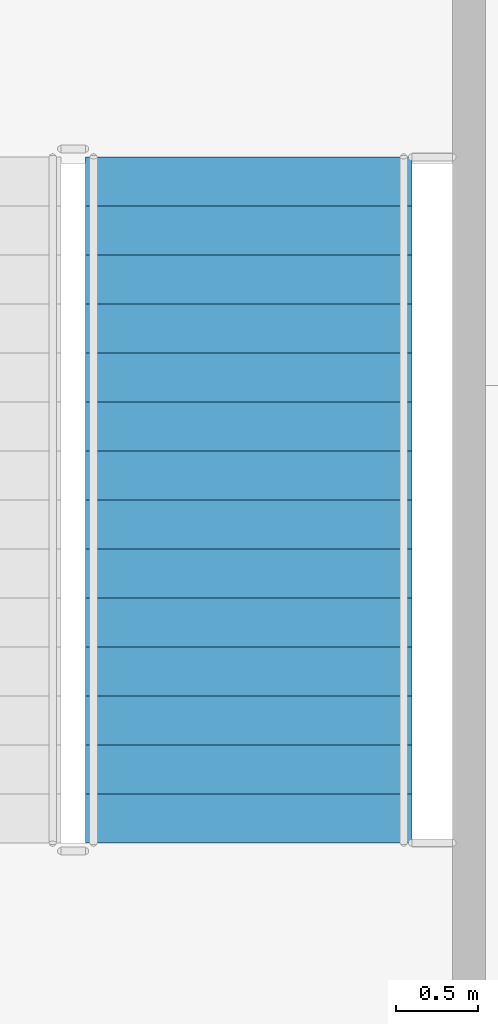
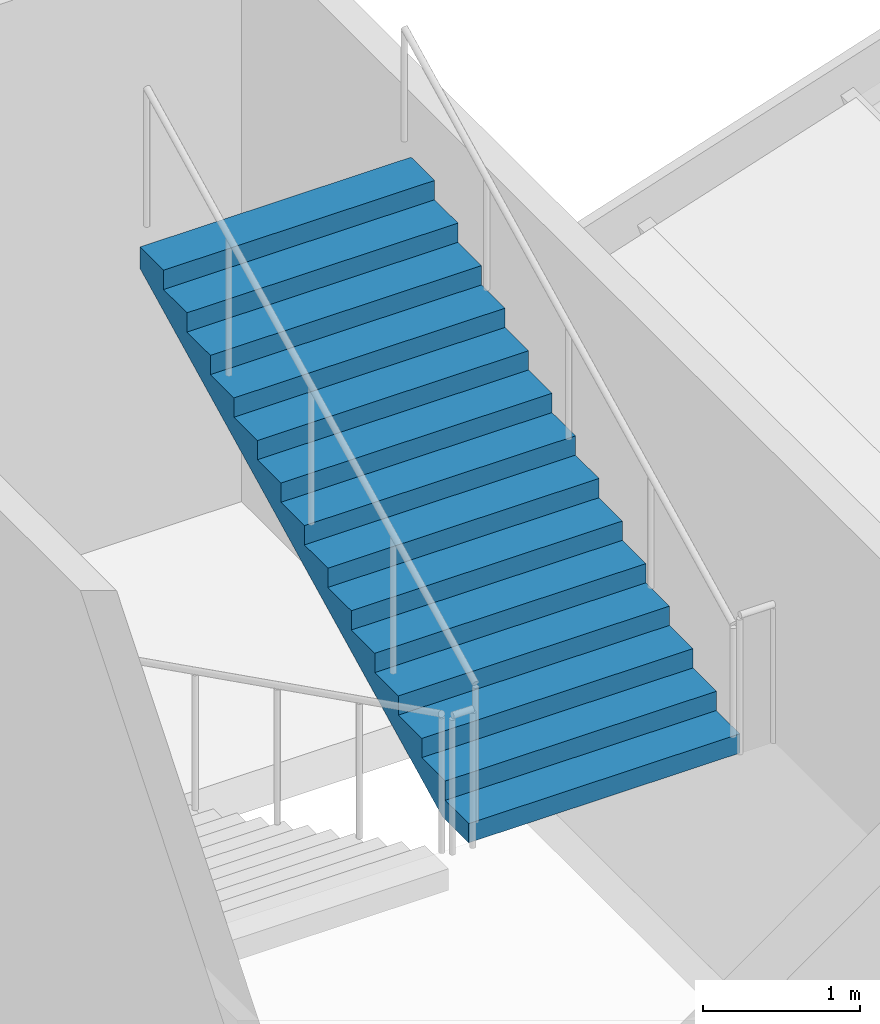
# One storey, part 89 of 95: 1 stair flight, 1 element without a shape of its own.
"""IFC4 building model written with IfcOpenShell, lengths in metres."""

from ifc_helpers import new_model, si_unit, direction, frame, origin, place, context, subcontext, project, spatial, faceted_brep, material, type_object, element, aggregate, save


model = new_model("IFC4")

# Units and contexts
model_context = context("Model", 3, precision=1e-05, world=origin(), true_north=direction((0.0, 1.0)))
body_context = subcontext(model_context, "Body", "Model", "MODEL_VIEW")
ifc_project = project(units=[si_unit("LENGTHUNIT", "METRE"), si_unit("AREAUNIT", "SQUARE_METRE"), si_unit("VOLUMEUNIT", "CUBIC_METRE"), si_unit("PLANEANGLEUNIT", "RADIAN"), si_unit("MASSUNIT", "GRAM", prefix="KILO")], contexts=[model_context])

# Site, building, storey
site_placement = place(None, origin())
site = spatial("IfcSite", under=ifc_project, at=site_placement, CompositionType="ELEMENT")
building_placement = place(site_placement, origin())
building = spatial("IfcBuilding", under=site, at=building_placement, Name="Kiln Court Media Centre", CompositionType="ELEMENT")
storey_placement = place(building_placement, frame((0.0, 0.0, 24.60009765625)))
storey = spatial("IfcBuildingStorey", under=building, at=storey_placement, Name="L05", CompositionType="ELEMENT", Elevation=24.60009765625)

# Stair, stair flight
ifc_material_1 = material(Name="Concrete C40/50", Category="concrete")
stair_type = type_object("IfcStairType", Name="Concrete C40/50 dog-leg stair 2000 wide, 150 riser", PredefinedType="HALF_TURN_STAIR", material=ifc_material_1)
stair_placement = place(storey_placement, origin())
stair = element("IfcStair", 1, at=stair_placement, inside=storey, type_object=stair_type, Name="ST-08 L05", PredefinedType="HALF_TURN_STAIR")
ifc_material_2 = material(Name="Concrete C40/50", Category="concrete")
stair_flight_type = type_object("IfcStairFlightType", Name="Concrete C40/50 stair flight 2000 wide, 150 riser, 300 going", PredefinedType="STRAIGHT", material=ifc_material_2)
stair_flight_placement = place(storey_placement, frame((32.14990234375, 60.199951171875, 2.25), z_axis=(0.0, 0.0, 1.0), x_axis=(0.0, 1.0, 0.0)))
stair_flight = element("IfcStairFlight", 2, at=stair_flight_placement, type_object=stair_flight_type, Name="L05-ST-5004 flight 5009", NumberOfRisers=15, NumberOfTreads=14, PredefinedType="STRAIGHT", RiserHeight=0.15, TreadLength=0.3, context=body_context, shape_type="Brep", body=[
    faceted_brep([(0.335205078125, -1.0, 0.0), (4.199951171875, -1.0, 1.932373046875), (4.199951171875, -1.0, 2.10009765625), (3.89990234375, -1.0, 2.10009765625), (3.89990234375, -1.0, 1.949951171875), (3.60009765625, -1.0, 1.949951171875), (3.60009765625, -1.0, 1.800048828125), (3.300048828125, -1.0, 1.800048828125), (3.300048828125, -1.0, 1.64990234375), (3.0, -1.0, 1.64990234375), (3.0, -1.0, 1.5), (2.699951171875, -1.0, 1.5), (2.699951171875, -1.0, 1.35009765625), (2.39990234375, -1.0, 1.35009765625), (2.39990234375, -1.0, 1.199951171875), (2.10009765625, -1.0, 1.199951171875), (2.10009765625, -1.0, 1.050048828125), (1.800048828125, -1.0, 1.050048828125), (1.800048828125, -1.0, 0.89990234375), (1.5, -1.0, 0.89990234375), (1.5, -1.0, 0.75), (1.199951171875, -1.0, 0.75), (1.199951171875, -1.0, 0.60009765625), (0.89990234375, -1.0, 0.60009765625), (0.89990234375, -1.0, 0.449951171875), (0.60009765625, -1.0, 0.449951171875), (0.60009765625, -1.0, 0.300048828125), (0.300048828125, -1.0, 0.300048828125), (0.300048828125, -1.0, 0.14990234375), (0.0, -1.0, 0.14990234375), (0.0, -1.0, 0.0), (0.0, 1.0, 0.0), (0.0, 1.0, 0.14990234375), (0.300048828125, 1.0, 0.14990234375), (0.300048828125, 1.0, 0.300048828125), (0.60009765625, 1.0, 0.300048828125), (0.60009765625, 1.0, 0.449951171875), (0.89990234375, 1.0, 0.449951171875), (0.89990234375, 1.0, 0.60009765625), (1.199951171875, 1.0, 0.60009765625), (1.199951171875, 1.0, 0.75), (1.5, 1.0, 0.75), (1.5, 1.0, 0.89990234375), (1.800048828125, 1.0, 0.89990234375), (1.800048828125, 1.0, 1.050048828125), (2.10009765625, 1.0, 1.050048828125), (2.10009765625, 1.0, 1.199951171875), (2.39990234375, 1.0, 1.199951171875), (2.39990234375, 1.0, 1.35009765625), (2.699951171875, 1.0, 1.35009765625), (2.699951171875, 1.0, 1.5), (3.0, 1.0, 1.5), (3.0, 1.0, 1.64990234375), (3.300048828125, 1.0, 1.64990234375), (3.300048828125, 1.0, 1.800048828125), (3.60009765625, 1.0, 1.800048828125), (3.60009765625, 1.0, 1.949951171875), (3.89990234375, 1.0, 1.949951171875), (3.89990234375, 1.0, 2.10009765625), (4.199951171875, 1.0, 2.10009765625), (4.199951171875, 1.0, 1.932373046875), (0.335205078125, 1.0, 0.0), (4.199951171875, 0.10009765625, 1.932373046875), (0.335205078125, 0.10009765625, 0.0), (4.199951171875, 0.080078125, 1.932373046875), (0.335205078125, 0.080078125, 0.0), (4.199951171875, 0.06005859375, 1.932373046875), (0.335205078125, 0.06005859375, 0.0), (4.199951171875, 0.0400390625, 1.932373046875), (0.335205078125, 0.0400390625, 0.0), (4.199951171875, 0.02001953125, 1.932373046875), (0.335205078125, 0.02001953125, 0.0), (4.199951171875, 0.0, 1.932373046875), (0.335205078125, 0.0, 0.0), (4.199951171875, -0.02001953125, 1.932373046875), (0.335205078125, -0.02001953125, 0.0), (4.199951171875, -0.0400390625, 1.932373046875), (0.335205078125, -0.0400390625, 0.0), (4.199951171875, -0.06005859375, 1.932373046875), (0.335205078125, -0.06005859375, 0.0), (4.199951171875, -0.080078125, 1.932373046875), (0.335205078125, -0.080078125, 0.0), (4.199951171875, -0.10009765625, 1.932373046875), (0.335205078125, -0.10009765625, 0.0), (4.199951171875, 0.10009765625, 2.10009765625), (4.199951171875, 0.080078125, 2.10009765625), (4.199951171875, 0.06005859375, 2.10009765625), (4.199951171875, 0.0400390625, 2.10009765625), (4.199951171875, 0.02001953125, 2.10009765625), (4.199951171875, 0.0, 2.10009765625), (4.199951171875, -0.02001953125, 2.10009765625), (4.199951171875, -0.0400390625, 2.10009765625), (4.199951171875, -0.06005859375, 2.10009765625), (4.199951171875, -0.080078125, 2.10009765625), (4.199951171875, -0.10009765625, 2.10009765625), (3.89990234375, 0.10009765625, 2.10009765625), (3.89990234375, 0.080078125, 2.10009765625), (3.89990234375, 0.06005859375, 2.10009765625), (3.89990234375, 0.0400390625, 2.10009765625), (3.89990234375, 0.02001953125, 2.10009765625), (3.89990234375, 0.0, 2.10009765625), (3.89990234375, -0.02001953125, 2.10009765625), (3.89990234375, -0.0400390625, 2.10009765625), (3.89990234375, -0.06005859375, 2.10009765625), (3.89990234375, -0.080078125, 2.10009765625), (3.89990234375, -0.10009765625, 2.10009765625), (3.89990234375, 0.10009765625, 1.949951171875), (3.89990234375, 0.080078125, 1.949951171875), (3.89990234375, 0.06005859375, 1.949951171875), (3.89990234375, 0.0400390625, 1.949951171875), (3.89990234375, 0.02001953125, 1.949951171875), (3.89990234375, 0.0, 1.949951171875), (3.89990234375, -0.02001953125, 1.949951171875), (3.89990234375, -0.0400390625, 1.949951171875), (3.89990234375, -0.06005859375, 1.949951171875), (3.89990234375, -0.080078125, 1.949951171875), (3.89990234375, -0.10009765625, 1.949951171875), (3.60009765625, 0.10009765625, 1.949951171875), (3.60009765625, 0.080078125, 1.949951171875), (3.60009765625, 0.06005859375, 1.949951171875), (3.60009765625, 0.0400390625, 1.949951171875), (3.60009765625, 0.02001953125, 1.949951171875), (3.60009765625, 0.0, 1.949951171875), (3.60009765625, -0.02001953125, 1.949951171875), (3.60009765625, -0.0400390625, 1.949951171875), (3.60009765625, -0.06005859375, 1.949951171875), (3.60009765625, -0.080078125, 1.949951171875), (3.60009765625, -0.10009765625, 1.949951171875), (3.60009765625, 0.10009765625, 1.800048828125), (3.60009765625, 0.080078125, 1.800048828125), (3.60009765625, 0.06005859375, 1.800048828125), (3.60009765625, 0.0400390625, 1.800048828125), (3.60009765625, 0.02001953125, 1.800048828125), (3.60009765625, 0.0, 1.800048828125), (3.60009765625, -0.02001953125, 1.800048828125), (3.60009765625, -0.0400390625, 1.800048828125), (3.60009765625, -0.06005859375, 1.800048828125), (3.60009765625, -0.080078125, 1.800048828125), (3.60009765625, -0.10009765625, 1.800048828125), (3.300048828125, 0.10009765625, 1.800048828125), (3.300048828125, 0.080078125, 1.800048828125), (3.300048828125, 0.06005859375, 1.800048828125), (3.300048828125, 0.0400390625, 1.800048828125), (3.300048828125, 0.02001953125, 1.800048828125), (3.300048828125, 0.0, 1.800048828125), (3.300048828125, -0.02001953125, 1.800048828125), (3.300048828125, -0.0400390625, 1.800048828125), (3.300048828125, -0.06005859375, 1.800048828125), (3.300048828125, -0.080078125, 1.800048828125), (3.300048828125, -0.10009765625, 1.800048828125), (3.300048828125, 0.10009765625, 1.64990234375), (3.300048828125, 0.080078125, 1.64990234375), (3.300048828125, 0.06005859375, 1.64990234375), (3.300048828125, 0.0400390625, 1.64990234375), (3.300048828125, 0.02001953125, 1.64990234375), (3.300048828125, 0.0, 1.64990234375), (3.300048828125, -0.02001953125, 1.64990234375), (3.300048828125, -0.0400390625, 1.64990234375), (3.300048828125, -0.06005859375, 1.64990234375), (3.300048828125, -0.080078125, 1.64990234375), (3.300048828125, -0.10009765625, 1.64990234375), (3.0, 0.10009765625, 1.64990234375), (3.0, 0.080078125, 1.64990234375), (3.0, 0.06005859375, 1.64990234375), (3.0, 0.0400390625, 1.64990234375), (3.0, 0.02001953125, 1.64990234375), (3.0, 0.0, 1.64990234375), (3.0, -0.02001953125, 1.64990234375), (3.0, -0.0400390625, 1.64990234375), (3.0, -0.06005859375, 1.64990234375), (3.0, -0.080078125, 1.64990234375), (3.0, -0.10009765625, 1.64990234375), (3.0, 0.10009765625, 1.5), (3.0, 0.080078125, 1.5), (3.0, 0.06005859375, 1.5), (3.0, 0.0400390625, 1.5), (3.0, 0.02001953125, 1.5), (3.0, 0.0, 1.5), (3.0, -0.02001953125, 1.5), (3.0, -0.0400390625, 1.5), (3.0, -0.06005859375, 1.5), (3.0, -0.080078125, 1.5), (3.0, -0.10009765625, 1.5), (2.699951171875, 0.10009765625, 1.5), (2.699951171875, 0.080078125, 1.5), (2.699951171875, 0.06005859375, 1.5), (2.699951171875, 0.0400390625, 1.5), (2.699951171875, 0.02001953125, 1.5), (2.699951171875, 0.0, 1.5), (2.699951171875, -0.02001953125, 1.5), (2.699951171875, -0.0400390625, 1.5), (2.699951171875, -0.06005859375, 1.5), (2.699951171875, -0.080078125, 1.5), (2.699951171875, -0.10009765625, 1.5), (2.699951171875, 0.10009765625, 1.35009765625), (2.699951171875, 0.080078125, 1.35009765625), (2.699951171875, 0.06005859375, 1.35009765625), (2.699951171875, 0.0400390625, 1.35009765625), (2.699951171875, 0.02001953125, 1.35009765625), (2.699951171875, 0.0, 1.35009765625), (2.699951171875, -0.02001953125, 1.35009765625), (2.699951171875, -0.0400390625, 1.35009765625), (2.699951171875, -0.06005859375, 1.35009765625), (2.699951171875, -0.080078125, 1.35009765625), (2.699951171875, -0.10009765625, 1.35009765625), (2.39990234375, 0.10009765625, 1.35009765625), (2.39990234375, 0.080078125, 1.35009765625), (2.39990234375, 0.06005859375, 1.35009765625), (2.39990234375, 0.0400390625, 1.35009765625), (2.39990234375, 0.02001953125, 1.35009765625), (2.39990234375, 0.0, 1.35009765625), (2.39990234375, -0.02001953125, 1.35009765625), (2.39990234375, -0.0400390625, 1.35009765625), (2.39990234375, -0.06005859375, 1.35009765625), (2.39990234375, -0.080078125, 1.35009765625), (2.39990234375, -0.10009765625, 1.35009765625), (2.39990234375, 0.10009765625, 1.199951171875), (2.39990234375, 0.080078125, 1.199951171875), (2.39990234375, 0.06005859375, 1.199951171875), (2.39990234375, 0.0400390625, 1.199951171875), (2.39990234375, 0.02001953125, 1.199951171875), (2.39990234375, 0.0, 1.199951171875), (2.39990234375, -0.02001953125, 1.199951171875), (2.39990234375, -0.0400390625, 1.199951171875), (2.39990234375, -0.06005859375, 1.199951171875), (2.39990234375, -0.080078125, 1.199951171875), (2.39990234375, -0.10009765625, 1.199951171875), (2.10009765625, 0.10009765625, 1.199951171875), (2.10009765625, 0.080078125, 1.199951171875), (2.10009765625, 0.06005859375, 1.199951171875), (2.10009765625, 0.0400390625, 1.199951171875), (2.10009765625, 0.02001953125, 1.199951171875), (2.10009765625, 0.0, 1.199951171875), (2.10009765625, -0.02001953125, 1.199951171875), (2.10009765625, -0.0400390625, 1.199951171875), (2.10009765625, -0.06005859375, 1.199951171875), (2.10009765625, -0.080078125, 1.199951171875), (2.10009765625, -0.10009765625, 1.199951171875), (2.10009765625, 0.10009765625, 1.050048828125), (2.10009765625, 0.080078125, 1.050048828125), (2.10009765625, 0.06005859375, 1.050048828125), (2.10009765625, 0.0400390625, 1.050048828125), (2.10009765625, 0.02001953125, 1.050048828125), (2.10009765625, 0.0, 1.050048828125), (2.10009765625, -0.02001953125, 1.050048828125), (2.10009765625, -0.0400390625, 1.050048828125), (2.10009765625, -0.06005859375, 1.050048828125), (2.10009765625, -0.080078125, 1.050048828125), (2.10009765625, -0.10009765625, 1.050048828125), (1.800048828125, 0.10009765625, 1.050048828125), (1.800048828125, 0.080078125, 1.050048828125), (1.800048828125, 0.06005859375, 1.050048828125), (1.800048828125, 0.0400390625, 1.050048828125), (1.800048828125, 0.02001953125, 1.050048828125), (1.800048828125, 0.0, 1.050048828125), (1.800048828125, -0.02001953125, 1.050048828125), (1.800048828125, -0.0400390625, 1.050048828125), (1.800048828125, -0.06005859375, 1.050048828125), (1.800048828125, -0.080078125, 1.050048828125), (1.800048828125, -0.10009765625, 1.050048828125), (1.800048828125, 0.10009765625, 0.89990234375), (1.800048828125, 0.080078125, 0.89990234375), (1.800048828125, 0.06005859375, 0.89990234375), (1.800048828125, 0.0400390625, 0.89990234375), (1.800048828125, 0.02001953125, 0.89990234375), (1.800048828125, 0.0, 0.89990234375), (1.800048828125, -0.02001953125, 0.89990234375), (1.800048828125, -0.0400390625, 0.89990234375), (1.800048828125, -0.06005859375, 0.89990234375), (1.800048828125, -0.080078125, 0.89990234375), (1.800048828125, -0.10009765625, 0.89990234375), (1.5, 0.10009765625, 0.89990234375), (1.5, 0.080078125, 0.89990234375), (1.5, 0.06005859375, 0.89990234375), (1.5, 0.0400390625, 0.89990234375), (1.5, 0.02001953125, 0.89990234375), (1.5, 0.0, 0.89990234375), (1.5, -0.02001953125, 0.89990234375), (1.5, -0.0400390625, 0.89990234375), (1.5, -0.06005859375, 0.89990234375), (1.5, -0.080078125, 0.89990234375), (1.5, -0.10009765625, 0.89990234375), (1.5, 0.10009765625, 0.75), (1.5, 0.080078125, 0.75), (1.5, 0.06005859375, 0.75), (1.5, 0.0400390625, 0.75), (1.5, 0.02001953125, 0.75), (1.5, 0.0, 0.75), (1.5, -0.02001953125, 0.75), (1.5, -0.0400390625, 0.75), (1.5, -0.06005859375, 0.75), (1.5, -0.080078125, 0.75), (1.5, -0.10009765625, 0.75), (1.199951171875, 0.10009765625, 0.75), (1.199951171875, 0.080078125, 0.75), (1.199951171875, 0.06005859375, 0.75), (1.199951171875, 0.0400390625, 0.75), (1.199951171875, 0.02001953125, 0.75), (1.199951171875, 0.0, 0.75), (1.199951171875, -0.02001953125, 0.75), (1.199951171875, -0.0400390625, 0.75), (1.199951171875, -0.06005859375, 0.75), (1.199951171875, -0.080078125, 0.75), (1.199951171875, -0.10009765625, 0.75), (1.199951171875, 0.10009765625, 0.60009765625), (1.199951171875, 0.080078125, 0.60009765625), (1.199951171875, 0.06005859375, 0.60009765625), (1.199951171875, 0.0400390625, 0.60009765625), (1.199951171875, 0.02001953125, 0.60009765625), (1.199951171875, 0.0, 0.60009765625), (1.199951171875, -0.02001953125, 0.60009765625), (1.199951171875, -0.0400390625, 0.60009765625), (1.199951171875, -0.06005859375, 0.60009765625), (1.199951171875, -0.080078125, 0.60009765625), (1.199951171875, -0.10009765625, 0.60009765625), (0.89990234375, 0.10009765625, 0.60009765625), (0.89990234375, 0.080078125, 0.60009765625), (0.89990234375, 0.06005859375, 0.60009765625), (0.89990234375, 0.0400390625, 0.60009765625), (0.89990234375, 0.02001953125, 0.60009765625), (0.89990234375, 0.0, 0.60009765625), (0.89990234375, -0.02001953125, 0.60009765625), (0.89990234375, -0.0400390625, 0.60009765625), (0.89990234375, -0.06005859375, 0.60009765625), (0.89990234375, -0.080078125, 0.60009765625), (0.89990234375, -0.10009765625, 0.60009765625), (0.89990234375, 0.10009765625, 0.449951171875), (0.89990234375, 0.080078125, 0.449951171875), (0.89990234375, 0.06005859375, 0.449951171875), (0.89990234375, 0.0400390625, 0.449951171875), (0.89990234375, 0.02001953125, 0.449951171875), (0.89990234375, 0.0, 0.449951171875), (0.89990234375, -0.02001953125, 0.449951171875), (0.89990234375, -0.0400390625, 0.449951171875), (0.89990234375, -0.06005859375, 0.449951171875), (0.89990234375, -0.080078125, 0.449951171875), (0.89990234375, -0.10009765625, 0.449951171875), (0.60009765625, 0.10009765625, 0.449951171875), (0.60009765625, 0.080078125, 0.449951171875), (0.60009765625, 0.06005859375, 0.449951171875), (0.60009765625, 0.0400390625, 0.449951171875), (0.60009765625, 0.02001953125, 0.449951171875), (0.60009765625, 0.0, 0.449951171875), (0.60009765625, -0.02001953125, 0.449951171875), (0.60009765625, -0.0400390625, 0.449951171875), (0.60009765625, -0.06005859375, 0.449951171875), (0.60009765625, -0.080078125, 0.449951171875), (0.60009765625, -0.10009765625, 0.449951171875), (0.60009765625, 0.10009765625, 0.300048828125), (0.60009765625, 0.080078125, 0.300048828125), (0.60009765625, 0.06005859375, 0.300048828125), (0.60009765625, 0.0400390625, 0.300048828125), (0.60009765625, 0.02001953125, 0.300048828125), (0.60009765625, 0.0, 0.300048828125), (0.60009765625, -0.02001953125, 0.300048828125), (0.60009765625, -0.0400390625, 0.300048828125), (0.60009765625, -0.06005859375, 0.300048828125), (0.60009765625, -0.080078125, 0.300048828125), (0.60009765625, -0.10009765625, 0.300048828125), (0.300048828125, 0.10009765625, 0.300048828125), (0.300048828125, 0.080078125, 0.300048828125), (0.300048828125, 0.06005859375, 0.300048828125), (0.300048828125, 0.0400390625, 0.300048828125), (0.300048828125, 0.02001953125, 0.300048828125), (0.300048828125, 0.0, 0.300048828125), (0.300048828125, -0.02001953125, 0.300048828125), (0.300048828125, -0.0400390625, 0.300048828125), (0.300048828125, -0.06005859375, 0.300048828125), (0.300048828125, -0.080078125, 0.300048828125), (0.300048828125, -0.10009765625, 0.300048828125), (0.300048828125, 0.10009765625, 0.14990234375), (0.300048828125, 0.080078125, 0.14990234375), (0.300048828125, 0.06005859375, 0.14990234375), (0.300048828125, 0.0400390625, 0.14990234375), (0.300048828125, 0.02001953125, 0.14990234375), (0.300048828125, 0.0, 0.14990234375), (0.300048828125, -0.02001953125, 0.14990234375), (0.300048828125, -0.0400390625, 0.14990234375), (0.300048828125, -0.06005859375, 0.14990234375), (0.300048828125, -0.080078125, 0.14990234375), (0.300048828125, -0.10009765625, 0.14990234375), (0.0, 0.10009765625, 0.14990234375), (0.0, 0.080078125, 0.14990234375), (0.0, 0.06005859375, 0.14990234375), (0.0, 0.0400390625, 0.14990234375), (0.0, 0.02001953125, 0.14990234375), (0.0, 0.0, 0.14990234375), (0.0, -0.02001953125, 0.14990234375), (0.0, -0.0400390625, 0.14990234375), (0.0, -0.06005859375, 0.14990234375), (0.0, -0.080078125, 0.14990234375), (0.0, -0.10009765625, 0.14990234375), (0.0, 0.10009765625, 0.0), (0.0, 0.080078125, 0.0), (0.0, 0.06005859375, 0.0), (0.0, 0.0400390625, 0.0), (0.0, 0.02001953125, 0.0), (0.0, 0.0, 0.0), (0.0, -0.02001953125, 0.0), (0.0, -0.0400390625, 0.0), (0.0, -0.06005859375, 0.0), (0.0, -0.080078125, 0.0), (0.0, -0.10009765625, 0.0)], [[[0, 1, 2, 3, 4, 5, 6, 7, 8, 9, 10, 11, 12, 13, 14, 15, 16, 17, 18, 19, 20, 21, 22, 23, 24, 25, 26, 27, 28, 29, 30]], [[31, 32, 33, 34, 35, 36, 37, 38, 39, 40, 41, 42, 43, 44, 45, 46, 47, 48, 49, 50, 51, 52, 53, 54, 55, 56, 57, 58, 59, 60, 61]], [[61, 60, 62, 63]], [[63, 62, 64, 65]], [[65, 64, 66, 67]], [[67, 66, 68, 69]], [[69, 68, 70, 71]], [[71, 70, 72, 73]], [[73, 72, 74, 75]], [[75, 74, 76, 77]], [[77, 76, 78, 79]], [[79, 78, 80, 81]], [[81, 80, 82, 83]], [[83, 82, 1, 0]], [[60, 59, 84, 62]], [[62, 84, 85, 64]], [[64, 85, 86, 66]], [[66, 86, 87, 68]], [[68, 87, 88, 70]], [[70, 88, 89, 72]], [[72, 89, 90, 74]], [[74, 90, 91, 76]], [[76, 91, 92, 78]], [[78, 92, 93, 80]], [[80, 93, 94, 82]], [[82, 94, 2, 1]], [[59, 58, 95, 84]], [[84, 95, 96, 85]], [[85, 96, 97, 86]], [[86, 97, 98, 87]], [[87, 98, 99, 88]], [[88, 99, 100, 89]], [[89, 100, 101, 90]], [[90, 101, 102, 91]], [[91, 102, 103, 92]], [[92, 103, 104, 93]], [[93, 104, 105, 94]], [[94, 105, 3, 2]], [[58, 57, 106, 95]], [[95, 106, 107, 96]], [[96, 107, 108, 97]], [[97, 108, 109, 98]], [[98, 109, 110, 99]], [[99, 110, 111, 100]], [[100, 111, 112, 101]], [[101, 112, 113, 102]], [[102, 113, 114, 103]], [[103, 114, 115, 104]], [[104, 115, 116, 105]], [[105, 116, 4, 3]], [[57, 56, 117, 106]], [[106, 117, 118, 107]], [[107, 118, 119, 108]], [[108, 119, 120, 109]], [[109, 120, 121, 110]], [[110, 121, 122, 111]], [[111, 122, 123, 112]], [[112, 123, 124, 113]], [[113, 124, 125, 114]], [[114, 125, 126, 115]], [[115, 126, 127, 116]], [[116, 127, 5, 4]], [[56, 55, 128, 117]], [[117, 128, 129, 118]], [[118, 129, 130, 119]], [[119, 130, 131, 120]], [[120, 131, 132, 121]], [[121, 132, 133, 122]], [[122, 133, 134, 123]], [[123, 134, 135, 124]], [[124, 135, 136, 125]], [[125, 136, 137, 126]], [[126, 137, 138, 127]], [[127, 138, 6, 5]], [[55, 54, 139, 128]], [[128, 139, 140, 129]], [[129, 140, 141, 130]], [[130, 141, 142, 131]], [[131, 142, 143, 132]], [[132, 143, 144, 133]], [[133, 144, 145, 134]], [[134, 145, 146, 135]], [[135, 146, 147, 136]], [[136, 147, 148, 137]], [[137, 148, 149, 138]], [[138, 149, 7, 6]], [[54, 53, 150, 139]], [[139, 150, 151, 140]], [[140, 151, 152, 141]], [[141, 152, 153, 142]], [[142, 153, 154, 143]], [[143, 154, 155, 144]], [[144, 155, 156, 145]], [[145, 156, 157, 146]], [[146, 157, 158, 147]], [[147, 158, 159, 148]], [[148, 159, 160, 149]], [[149, 160, 8, 7]], [[53, 52, 161, 150]], [[150, 161, 162, 151]], [[151, 162, 163, 152]], [[152, 163, 164, 153]], [[153, 164, 165, 154]], [[154, 165, 166, 155]], [[155, 166, 167, 156]], [[156, 167, 168, 157]], [[157, 168, 169, 158]], [[158, 169, 170, 159]], [[159, 170, 171, 160]], [[160, 171, 9, 8]], [[52, 51, 172, 161]], [[161, 172, 173, 162]], [[162, 173, 174, 163]], [[163, 174, 175, 164]], [[164, 175, 176, 165]], [[165, 176, 177, 166]], [[166, 177, 178, 167]], [[167, 178, 179, 168]], [[168, 179, 180, 169]], [[169, 180, 181, 170]], [[170, 181, 182, 171]], [[171, 182, 10, 9]], [[51, 50, 183, 172]], [[172, 183, 184, 173]], [[173, 184, 185, 174]], [[174, 185, 186, 175]], [[175, 186, 187, 176]], [[176, 187, 188, 177]], [[177, 188, 189, 178]], [[178, 189, 190, 179]], [[179, 190, 191, 180]], [[180, 191, 192, 181]], [[181, 192, 193, 182]], [[182, 193, 11, 10]], [[50, 49, 194, 183]], [[183, 194, 195, 184]], [[184, 195, 196, 185]], [[185, 196, 197, 186]], [[186, 197, 198, 187]], [[187, 198, 199, 188]], [[188, 199, 200, 189]], [[189, 200, 201, 190]], [[190, 201, 202, 191]], [[191, 202, 203, 192]], [[192, 203, 204, 193]], [[193, 204, 12, 11]], [[49, 48, 205, 194]], [[194, 205, 206, 195]], [[195, 206, 207, 196]], [[196, 207, 208, 197]], [[197, 208, 209, 198]], [[198, 209, 210, 199]], [[199, 210, 211, 200]], [[200, 211, 212, 201]], [[201, 212, 213, 202]], [[202, 213, 214, 203]], [[203, 214, 215, 204]], [[204, 215, 13, 12]], [[48, 47, 216, 205]], [[205, 216, 217, 206]], [[206, 217, 218, 207]], [[207, 218, 219, 208]], [[208, 219, 220, 209]], [[209, 220, 221, 210]], [[210, 221, 222, 211]], [[211, 222, 223, 212]], [[212, 223, 224, 213]], [[213, 224, 225, 214]], [[214, 225, 226, 215]], [[215, 226, 14, 13]], [[47, 46, 227, 216]], [[216, 227, 228, 217]], [[217, 228, 229, 218]], [[218, 229, 230, 219]], [[219, 230, 231, 220]], [[220, 231, 232, 221]], [[221, 232, 233, 222]], [[222, 233, 234, 223]], [[223, 234, 235, 224]], [[224, 235, 236, 225]], [[225, 236, 237, 226]], [[226, 237, 15, 14]], [[46, 45, 238, 227]], [[227, 238, 239, 228]], [[228, 239, 240, 229]], [[229, 240, 241, 230]], [[230, 241, 242, 231]], [[231, 242, 243, 232]], [[232, 243, 244, 233]], [[233, 244, 245, 234]], [[234, 245, 246, 235]], [[235, 246, 247, 236]], [[236, 247, 248, 237]], [[237, 248, 16, 15]], [[45, 44, 249, 238]], [[238, 249, 250, 239]], [[239, 250, 251, 240]], [[240, 251, 252, 241]], [[241, 252, 253, 242]], [[242, 253, 254, 243]], [[243, 254, 255, 244]], [[244, 255, 256, 245]], [[245, 256, 257, 246]], [[246, 257, 258, 247]], [[247, 258, 259, 248]], [[248, 259, 17, 16]], [[44, 43, 260, 249]], [[249, 260, 261, 250]], [[250, 261, 262, 251]], [[251, 262, 263, 252]], [[252, 263, 264, 253]], [[253, 264, 265, 254]], [[254, 265, 266, 255]], [[255, 266, 267, 256]], [[256, 267, 268, 257]], [[257, 268, 269, 258]], [[258, 269, 270, 259]], [[259, 270, 18, 17]], [[43, 42, 271, 260]], [[260, 271, 272, 261]], [[261, 272, 273, 262]], [[262, 273, 274, 263]], [[263, 274, 275, 264]], [[264, 275, 276, 265]], [[265, 276, 277, 266]], [[266, 277, 278, 267]], [[267, 278, 279, 268]], [[268, 279, 280, 269]], [[269, 280, 281, 270]], [[270, 281, 19, 18]], [[42, 41, 282, 271]], [[271, 282, 283, 272]], [[272, 283, 284, 273]], [[273, 284, 285, 274]], [[274, 285, 286, 275]], [[275, 286, 287, 276]], [[276, 287, 288, 277]], [[277, 288, 289, 278]], [[278, 289, 290, 279]], [[279, 290, 291, 280]], [[280, 291, 292, 281]], [[281, 292, 20, 19]], [[41, 40, 293, 282]], [[282, 293, 294, 283]], [[283, 294, 295, 284]], [[284, 295, 296, 285]], [[285, 296, 297, 286]], [[286, 297, 298, 287]], [[287, 298, 299, 288]], [[288, 299, 300, 289]], [[289, 300, 301, 290]], [[290, 301, 302, 291]], [[291, 302, 303, 292]], [[292, 303, 21, 20]], [[40, 39, 304, 293]], [[293, 304, 305, 294]], [[294, 305, 306, 295]], [[295, 306, 307, 296]], [[296, 307, 308, 297]], [[297, 308, 309, 298]], [[298, 309, 310, 299]], [[299, 310, 311, 300]], [[300, 311, 312, 301]], [[301, 312, 313, 302]], [[302, 313, 314, 303]], [[303, 314, 22, 21]], [[39, 38, 315, 304]], [[304, 315, 316, 305]], [[305, 316, 317, 306]], [[306, 317, 318, 307]], [[307, 318, 319, 308]], [[308, 319, 320, 309]], [[309, 320, 321, 310]], [[310, 321, 322, 311]], [[311, 322, 323, 312]], [[312, 323, 324, 313]], [[313, 324, 325, 314]], [[314, 325, 23, 22]], [[38, 37, 326, 315]], [[315, 326, 327, 316]], [[316, 327, 328, 317]], [[317, 328, 329, 318]], [[318, 329, 330, 319]], [[319, 330, 331, 320]], [[320, 331, 332, 321]], [[321, 332, 333, 322]], [[322, 333, 334, 323]], [[323, 334, 335, 324]], [[324, 335, 336, 325]], [[325, 336, 24, 23]], [[37, 36, 337, 326]], [[326, 337, 338, 327]], [[327, 338, 339, 328]], [[328, 339, 340, 329]], [[329, 340, 341, 330]], [[330, 341, 342, 331]], [[331, 342, 343, 332]], [[332, 343, 344, 333]], [[333, 344, 345, 334]], [[334, 345, 346, 335]], [[335, 346, 347, 336]], [[336, 347, 25, 24]], [[36, 35, 348, 337]], [[337, 348, 349, 338]], [[338, 349, 350, 339]], [[339, 350, 351, 340]], [[340, 351, 352, 341]], [[341, 352, 353, 342]], [[342, 353, 354, 343]], [[343, 354, 355, 344]], [[344, 355, 356, 345]], [[345, 356, 357, 346]], [[346, 357, 358, 347]], [[347, 358, 26, 25]], [[35, 34, 359, 348]], [[348, 359, 360, 349]], [[349, 360, 361, 350]], [[350, 361, 362, 351]], [[351, 362, 363, 352]], [[352, 363, 364, 353]], [[353, 364, 365, 354]], [[354, 365, 366, 355]], [[355, 366, 367, 356]], [[356, 367, 368, 357]], [[357, 368, 369, 358]], [[358, 369, 27, 26]], [[34, 33, 370, 359]], [[359, 370, 371, 360]], [[360, 371, 372, 361]], [[361, 372, 373, 362]], [[362, 373, 374, 363]], [[363, 374, 375, 364]], [[364, 375, 376, 365]], [[365, 376, 377, 366]], [[366, 377, 378, 367]], [[367, 378, 379, 368]], [[368, 379, 380, 369]], [[369, 380, 28, 27]], [[33, 32, 381, 370]], [[370, 381, 382, 371]], [[371, 382, 383, 372]], [[372, 383, 384, 373]], [[373, 384, 385, 374]], [[374, 385, 386, 375]], [[375, 386, 387, 376]], [[376, 387, 388, 377]], [[377, 388, 389, 378]], [[378, 389, 390, 379]], [[379, 390, 391, 380]], [[380, 391, 29, 28]], [[32, 31, 392, 381]], [[381, 392, 393, 382]], [[382, 393, 394, 383]], [[383, 394, 395, 384]], [[384, 395, 396, 385]], [[385, 396, 397, 386]], [[386, 397, 398, 387]], [[387, 398, 399, 388]], [[388, 399, 400, 389]], [[389, 400, 401, 390]], [[390, 401, 402, 391]], [[391, 402, 30, 29]], [[31, 61, 63, 392]], [[392, 63, 65, 393]], [[393, 65, 67, 394]], [[394, 67, 69, 395]], [[395, 69, 71, 396]], [[396, 71, 73, 397]], [[397, 73, 75, 398]], [[398, 75, 77, 399]], [[399, 77, 79, 400]], [[400, 79, 81, 401]], [[401, 81, 83, 402]], [[402, 83, 0, 30]]]),
])
aggregate(stair, [stair_flight])

save(model, "model.ifc")
